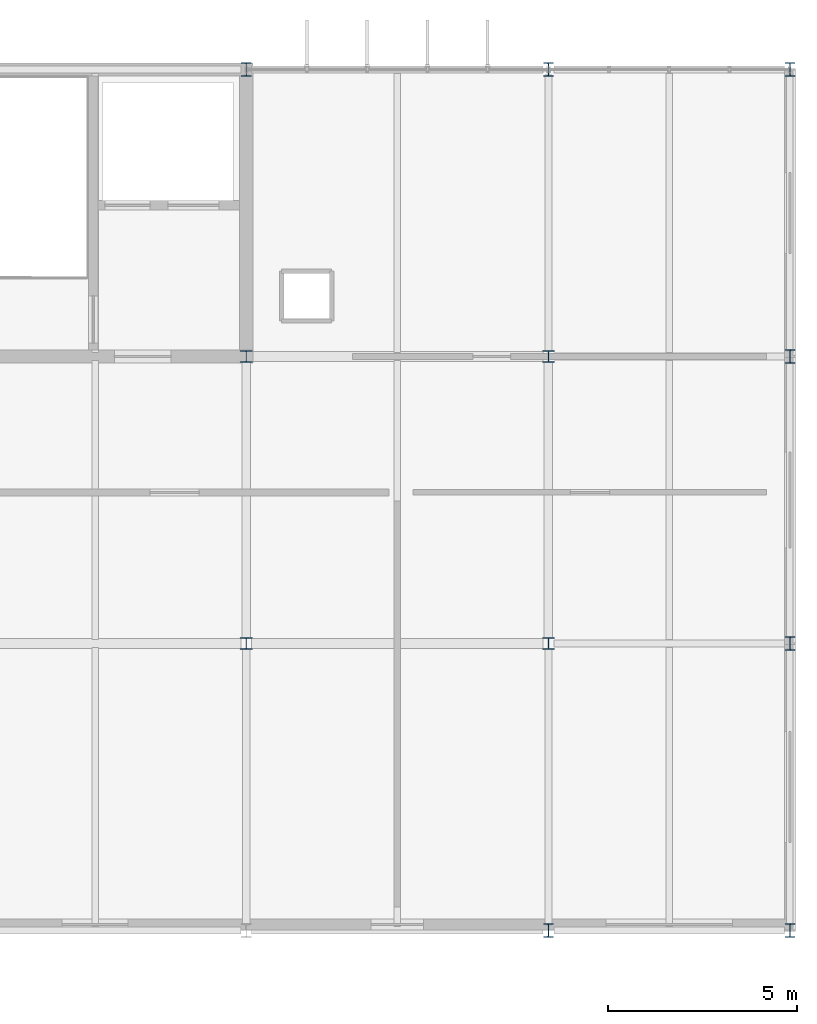
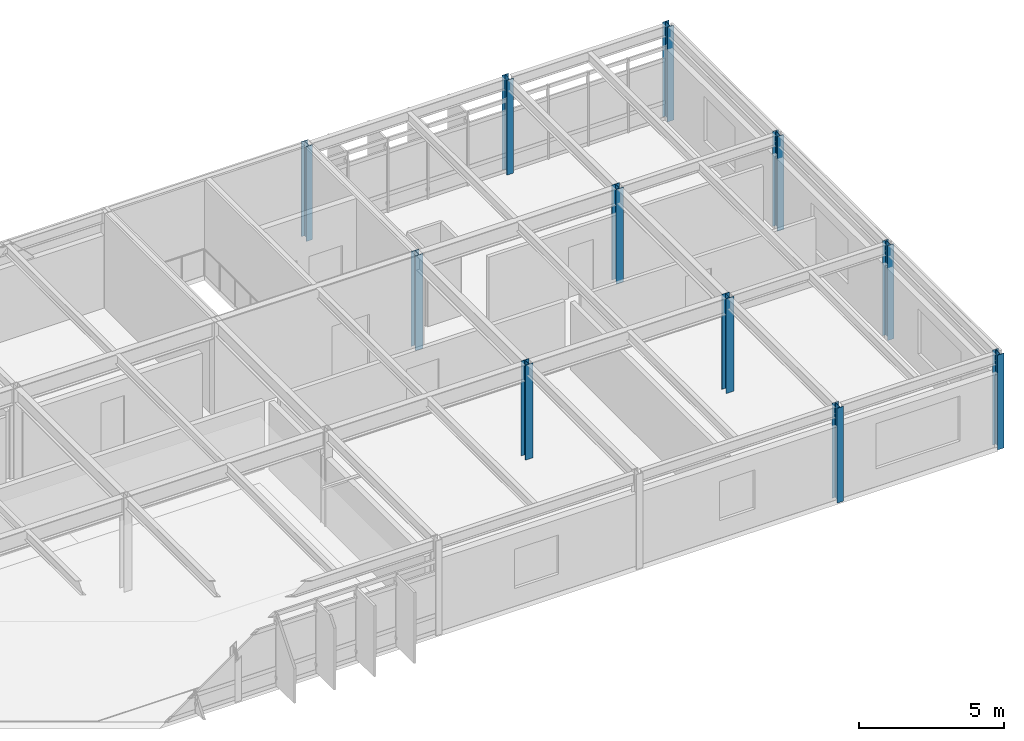
# One storey, part 2 of 17: 11 columns.
"""IFC4 building model written with IfcOpenShell, lengths in metres."""

from ifc_helpers import new_model, si_unit, direction, frame, origin, origin_2d, place, context, subcontext, project, spatial, i_section, extrude, material, material_profile, profile_set, type_object, element, save


model = new_model("IFC4")

# Units and contexts
model_context = context("Model", 3, precision=1e-05, world=origin(), true_north=direction((0.0, 1.0)))
body_context = subcontext(model_context, "Body", "Model", "MODEL_VIEW")
ifc_project = project(units=[si_unit("LENGTHUNIT", "METRE"), si_unit("AREAUNIT", "SQUARE_METRE"), si_unit("VOLUMEUNIT", "CUBIC_METRE"), si_unit("PLANEANGLEUNIT", "RADIAN"), si_unit("MASSUNIT", "GRAM", prefix="KILO")], contexts=[model_context])

# Site, building, storey
site_placement = place(None, origin())
site = spatial("IfcSite", under=ifc_project, at=site_placement, CompositionType="ELEMENT")
building_placement = place(site_placement, origin())
building = spatial("IfcBuilding", under=site, at=building_placement, Name="Zulena Civic Courthouse", CompositionType="ELEMENT")
storey_placement = place(building_placement, frame((0.0, 0.0, 42.0)))
storey = spatial("IfcBuildingStorey", under=building, at=storey_placement, Name="L09", CompositionType="ELEMENT", Elevation=42.0)

# Columns
ifc_material = material(Name="Steel ASTM A992 Grade 50", Category="steel")
ifc_material_profile_1 = material_profile(ifc_material, i_section(OverallWidth=0.306884765625, OverallDepth=0.31396484375, WebThickness=0.011962890625, FlangeThickness=0.018798828125, FilletRadius=0.01513671875, at=origin_2d()), Name="W12X79")
ifc_profile_set_1 = profile_set([ifc_material_profile_1], Name="Steel ASTM A992 Grade 50")
column_type_1 = type_object("IfcColumnType", Name="Col_W12X79", PredefinedType="COLUMN", material=ifc_profile_set_1)
for number, where, z_axis, x_axis, name in (
    (1, (52.0, 7.60009765625, 0.0), (0.0, 0.0, 1.0), (1.0, 0.0, 0.0), "col:V2:L09:52.0:7.6"),
    (2, (52.0, 15.199951171875, 0.0), (0.0, 0.0, 1.0), (1.0, 0.0, 0.0), "col:V2:L09:52.0:15.2"),
    (3, (60.0, 7.60009765625, 0.0), (0.0, 0.0, 1.0), (1.0, 0.0, 0.0), "col:V2:L09:60.0:7.6"),
    (4, (60.0, 15.199951171875, 0.0), (0.0, 0.0, 1.0), (1.0, 0.0, 0.0), "col:V2:L09:60.0:15.2"),
):
    element("IfcColumn", number, at=place(storey_placement, frame(where, z_axis=z_axis, x_axis=x_axis)), inside=storey, type_object=column_type_1, Name=name, PredefinedType="COLUMN", context=body_context, shape_type="SweptSolid", body=[
        extrude(i_section(OverallWidth=0.306884765625, OverallDepth=0.31396484375, WebThickness=0.011962890625, FlangeThickness=0.018798828125, FilletRadius=0.01513671875, at=origin_2d()), origin(), (0.0, 0.0, 1.0), 3.9951171875),
    ])
ifc_material_profile_2 = material_profile(ifc_material, i_section(OverallWidth=0.2548828125, OverallDepth=0.35693359375, WebThickness=0.010498046875, FlangeThickness=0.018310546875, FilletRadius=0.01513671875, at=origin_2d()), Name="W14X68")
ifc_profile_set_2 = profile_set([ifc_material_profile_2], Name="Steel ASTM A992 Grade 50")
column_type_2 = type_object("IfcColumnType", Name="Col_W14X68", PredefinedType="COLUMN", material=ifc_profile_set_2)
for number, where, z_axis, x_axis, name in (
    (5, (52.0, 22.800048828125, 0.0), (0.0, 0.0, 1.0), (1.0, 0.0, 0.0), "col:V2:L09:52.0:22.8"),
    (6, (60.0, 0.0, 0.0), (0.0, 0.0, 1.0), (1.0, 0.0, 0.0), "col:V2:L09:60.0:0.0"),
    (7, (60.0, 22.800048828125, 0.0), (0.0, 0.0, 1.0), (1.0, 0.0, 0.0), "col:V2:L09:60.0:22.8"),
    (8, (66.39990234375, 0.0, 0.0), (0.0, 0.0, 1.0), (1.0, 0.0, 0.0), "col:V2:L09:66.4:0.0"),
    (9, (66.39990234375, 7.60009765625, 0.0), (0.0, 0.0, 1.0), (1.0, 0.0, 0.0), "col:V2:L09:66.4:7.6"),
    (10, (66.39990234375, 15.199951171875, 0.0), (0.0, 0.0, 1.0), (1.0, 0.0, 0.0), "col:V2:L09:66.4:15.2"),
    (11, (66.39990234375, 22.800048828125, 0.0), (0.0, 0.0, 1.0), (1.0, 0.0, 0.0), "col:V2:L09:66.4:22.8"),
):
    element("IfcColumn", number, at=place(storey_placement, frame(where, z_axis=z_axis, x_axis=x_axis)), inside=storey, type_object=column_type_2, Name=name, PredefinedType="COLUMN", context=body_context, shape_type="SweptSolid", body=[
        extrude(i_section(OverallWidth=0.2548828125, OverallDepth=0.35693359375, WebThickness=0.010498046875, FlangeThickness=0.018310546875, FilletRadius=0.01513671875, at=origin_2d()), origin(), (0.0, 0.0, 1.0), 3.9951171875),
    ])

save(model, "model.ifc")
